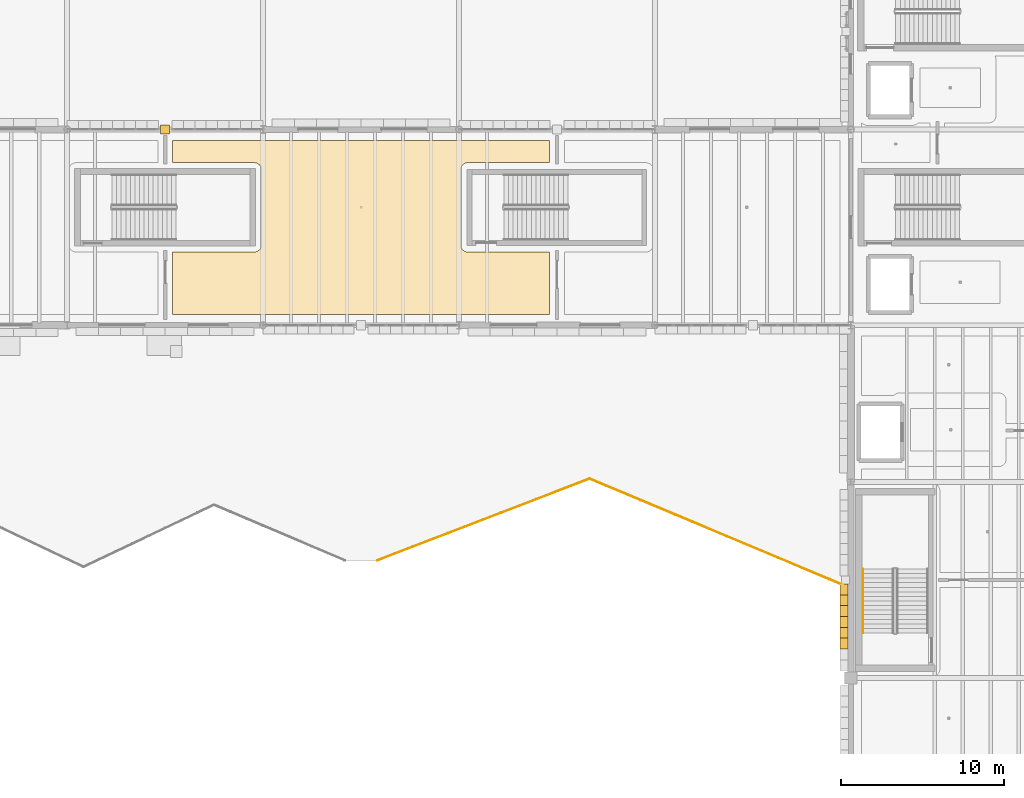
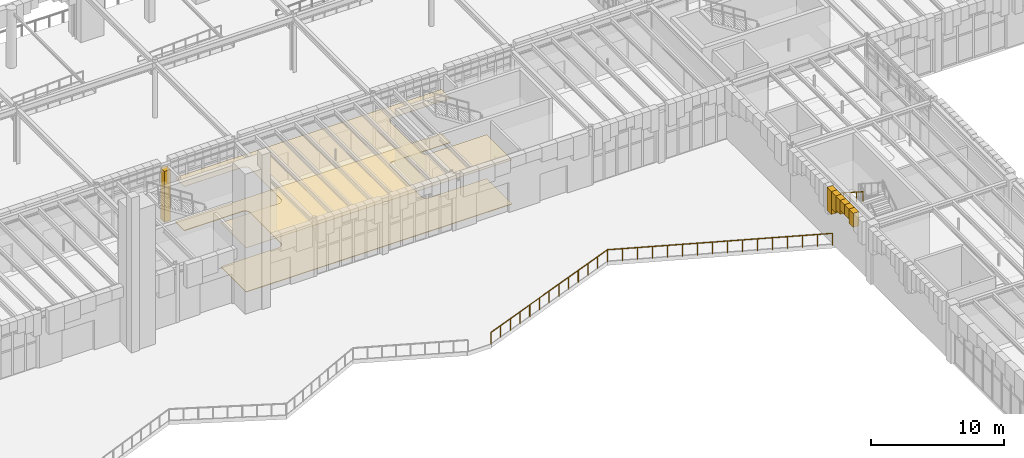
# One storey, part 85 of 103: 9 coverings, 3 railings.
"""IFC4 building model written with IfcOpenShell, lengths in metres."""

from ifc_helpers import new_model, si_unit, direction, frame, origin, origin_2d, place, context, subcontext, project, spatial, polyline, circle, outline, extrude, material, layer, layer_set, type_object, element, save


model = new_model("IFC4")

# Units and contexts
model_context = context("Model", 3, precision=1e-05, world=origin(), true_north=direction((0.0, 1.0)))
body_context = subcontext(model_context, "Body", "Model", "MODEL_VIEW")
ifc_project = project(units=[si_unit("LENGTHUNIT", "METRE"), si_unit("AREAUNIT", "SQUARE_METRE"), si_unit("VOLUMEUNIT", "CUBIC_METRE"), si_unit("PLANEANGLEUNIT", "RADIAN"), si_unit("MASSUNIT", "GRAM", prefix="KILO")], contexts=[model_context])

# Site, building, storey
site_placement = place(None, origin())
site = spatial("IfcSite", under=ifc_project, at=site_placement, CompositionType="ELEMENT")
building_placement = place(site_placement, origin())
building = spatial("IfcBuilding", under=site, at=building_placement, Name="Zlatogorsky Bluff Art Gallery", CompositionType="ELEMENT")
storey_placement = place(building_placement, origin())
storey = spatial("IfcBuildingStorey", under=building, at=storey_placement, Name="L00", CompositionType="ELEMENT", Elevation=0.0)

# Coverings
ifc_material_1 = material(Name="Perforated Gypsum Acoustic Board", Category="gypsum")
ifc_layer_1 = layer(ifc_material_1, 0.0400390625)
ifc_layer_set_1 = layer_set([ifc_layer_1], Name="Acoustic Gallery Ceiling CLG-01")
covering_type_1 = type_object("IfcCoveringType", Name="Acoustic Gallery Ceiling CLG-01", PredefinedType="CEILING", material=ifc_layer_set_1)
covering_1_placement = place(storey_placement, frame((0.0, 0.0, 4.050048828125)))
element("IfcCovering", 1, at=covering_1_placement, inside=storey, type_object=covering_type_1, Name="Winter-Garden Concourse acoustic ceiling", PredefinedType="CEILING", context=body_context, shape_type="SweptSolid", body=[
    extrude(outline(polyline([(78.449951171875, 88.489990234375), (83.450927734375, 88.489990234375), (83.495361328125, 88.4921875), (83.539306640625, 88.498779296875), (83.540283203125, 88.498779296875), (83.549560546875, 88.5009765625), (83.550537109375, 88.501220703125), (83.59375, 88.512939453125), (83.6357421875, 88.529296875), (83.637451171875, 88.530029296875), (83.673095703125, 88.5478515625), (83.674072265625, 88.54833984375), (83.706298828125, 88.568115234375), (83.73681640625, 88.59033203125), (83.73828125, 88.591552734375), (83.775390625, 88.624755859375), (83.80859375, 88.661865234375), (83.809814453125, 88.663330078125), (83.83203125, 88.693603515625), (83.851806640625, 88.725830078125), (83.852294921875, 88.726806640625), (83.8701171875, 88.762451171875), (83.870849609375, 88.764404296875), (83.886962890625, 88.80615234375), (83.89892578125, 88.849609375), (83.899169921875, 88.850341796875), (83.901123046875, 88.859619140625), (83.9013671875, 88.860595703125), (83.90771484375, 88.90478515625), (83.909912109375, 88.948974609375), (83.909912109375, 93.5009765625), (83.90771484375, 93.54541015625), (83.9013671875, 93.58935546875), (83.901123046875, 93.59033203125), (83.899169921875, 93.599609375), (83.89892578125, 93.6005859375), (83.886962890625, 93.643798828125), (83.870849609375, 93.685791015625), (83.8701171875, 93.6875), (83.852294921875, 93.72314453125), (83.851806640625, 93.72412109375), (83.83203125, 93.75634765625), (83.809814453125, 93.78662109375), (83.80859375, 93.7880859375), (83.775390625, 93.8251953125), (83.73828125, 93.8583984375), (83.73681640625, 93.859619140625), (83.706298828125, 93.882080078125), (83.674072265625, 93.901611328125), (83.673095703125, 93.902099609375), (83.637451171875, 93.919921875), (83.63671875, 93.92041015625), (83.6357421875, 93.9208984375), (83.59375, 93.93701171875), (83.550537109375, 93.948974609375), (83.549560546875, 93.94921875), (83.540283203125, 93.951171875), (83.539306640625, 93.951416015625), (83.495361328125, 93.957763671875), (83.450927734375, 93.9599609375), (78.449951171875, 93.9599609375), (78.449951171875, 95.330078125), (101.550048828125, 95.330078125), (101.550048828125, 93.9599609375), (96.549072265625, 93.9599609375), (96.504638671875, 93.957763671875), (96.460693359375, 93.951416015625), (96.459716796875, 93.951171875), (96.450439453125, 93.94921875), (96.449462890625, 93.948974609375), (96.40625, 93.93701171875), (96.3642578125, 93.9208984375), (96.36328125, 93.92041015625), (96.362548828125, 93.919921875), (96.326904296875, 93.902099609375), (96.325927734375, 93.901611328125), (96.293701171875, 93.882080078125), (96.26318359375, 93.859619140625), (96.26171875, 93.8583984375), (96.224609375, 93.8251953125), (96.19140625, 93.7880859375), (96.190185546875, 93.78662109375), (96.16796875, 93.75634765625), (96.148193359375, 93.72412109375), (96.147705078125, 93.72314453125), (96.1298828125, 93.6875), (96.129150390625, 93.685791015625), (96.113037109375, 93.643798828125), (96.10107421875, 93.6005859375), (96.100830078125, 93.599609375), (96.098876953125, 93.59033203125), (96.0986328125, 93.58935546875), (96.09228515625, 93.54541015625), (96.090087890625, 93.5009765625), (96.090087890625, 88.948974609375), (96.09228515625, 88.90478515625), (96.0986328125, 88.860595703125), (96.098876953125, 88.859619140625), (96.100830078125, 88.850341796875), (96.10107421875, 88.849609375), (96.113037109375, 88.80615234375), (96.129150390625, 88.764404296875), (96.1298828125, 88.762451171875), (96.147705078125, 88.726806640625), (96.148193359375, 88.725830078125), (96.16796875, 88.693603515625), (96.190185546875, 88.663330078125), (96.19140625, 88.661865234375), (96.224609375, 88.624755859375), (96.26171875, 88.591552734375), (96.26318359375, 88.59033203125), (96.293701171875, 88.568115234375), (96.325927734375, 88.54833984375), (96.326904296875, 88.5478515625), (96.362548828125, 88.530029296875), (96.3642578125, 88.529296875), (96.40625, 88.512939453125), (96.449462890625, 88.501220703125), (96.450439453125, 88.5009765625), (96.459716796875, 88.498779296875), (96.460693359375, 88.498779296875), (96.504638671875, 88.4921875), (96.549072265625, 88.489990234375), (101.550048828125, 88.489990234375), (101.550048828125, 84.669921875), (78.449951171875, 84.669921875), (78.449951171875, 88.489990234375)])), origin(), (0.0, 0.0, 1.0), 0.0400390625),
])
ifc_material_2 = material(Name="Honed Red Agra-Tone Quartzitic Sandstone", Category="masonry")
ifc_layer_2 = layer(ifc_material_2, 0.1201171875)
ifc_layer_set_2 = layer_set([ifc_layer_2], Name="Carved Sandstone Cladding CLD-02")
covering_type_2 = type_object("IfcCoveringType", Name="Carved Sandstone Cladding CLD-02", PredefinedType="CLADDING", material=ifc_layer_set_2)
covering_2_placement = place(storey_placement, frame((0.0, 0.0, -0.030029296875)))
element("IfcCovering", 2, at=covering_2_placement, inside=storey, type_object=covering_type_2, Name="Mughal dalan central sandstone pier L00 N 6.8", PredefinedType="CLADDING", context=body_context, shape_type="SweptSolid", body=[
    extrude(outline(polyline([(77.719970703125, 95.719970703125), (78.280029296875, 95.719970703125), (78.280029296875, 96.280029296875), (77.719970703125, 96.280029296875), (77.719970703125, 95.719970703125)])), origin(), (0.0, 0.0, 1.0), 4.68994140625),
])
covering_3_placement = place(storey_placement, frame((0.0, 0.0, 4.07666015625)))
element("IfcCovering", 3, at=covering_3_placement, inside=storey, type_object=covering_type_2, Name="Pointed Mughal arch voussoir spandrel WARCH-L00-W-10-06-A.3", PredefinedType="CLADDING", context=body_context, shape_type="SweptSolid", body=[
    extrude(outline(polyline([(119.340087890625, 64.175048828125), (119.340087890625, 64.83740234375), (119.830078125, 64.83740234375), (119.830078125, 64.175048828125), (119.340087890625, 64.175048828125)])), origin(), (0.0, 0.0, 1.0), 1.283447265625),
])
covering_4_placement = place(storey_placement, frame((0.0, 0.0, 4.4453125)))
element("IfcCovering", 4, at=covering_4_placement, inside=storey, type_object=covering_type_2, Name="Pointed Mughal arch voussoir spandrel WARCH-L00-W-10-06-A.4", PredefinedType="CLADDING", context=body_context, shape_type="SweptSolid", body=[
    extrude(outline(polyline([(119.340087890625, 64.83740234375), (119.340087890625, 65.5), (119.830078125, 65.5), (119.830078125, 64.83740234375), (119.340087890625, 64.83740234375)])), origin(), (0.0, 0.0, 1.0), 0.914794921875),
])
covering_5_placement = place(storey_placement, frame((0.0, 0.0, 4.4453125)))
element("IfcCovering", 5, at=covering_5_placement, inside=storey, type_object=covering_type_2, Name="Pointed Mughal arch voussoir spandrel WARCH-L00-W-10-06-A.5", PredefinedType="CLADDING", context=body_context, shape_type="SweptSolid", body=[
    extrude(outline(polyline([(119.340087890625, 65.5), (119.340087890625, 66.16259765625), (119.830078125, 66.16259765625), (119.830078125, 65.5), (119.340087890625, 65.5)])), origin(), (0.0, 0.0, 1.0), 0.914794921875),
])
covering_6_placement = place(storey_placement, frame((0.0, 0.0, 4.07666015625)))
element("IfcCovering", 6, at=covering_6_placement, inside=storey, type_object=covering_type_2, Name="Pointed Mughal arch voussoir spandrel WARCH-L00-W-10-06-A.6", PredefinedType="CLADDING", context=body_context, shape_type="SweptSolid", body=[
    extrude(outline(polyline([(119.340087890625, 66.16259765625), (119.340087890625, 66.824951171875), (119.830078125, 66.824951171875), (119.830078125, 66.16259765625), (119.340087890625, 66.16259765625)])), origin(), (0.0, 0.0, 1.0), 1.283447265625),
])
covering_7_placement = place(storey_placement, frame((0.0, 0.0, 3.78369140625)))
element("IfcCovering", 7, at=covering_7_placement, inside=storey, type_object=covering_type_2, Name="Pointed Mughal arch voussoir spandrel WARCH-L00-W-10-06-A.7", PredefinedType="CLADDING", context=body_context, shape_type="SweptSolid", body=[
    extrude(outline(polyline([(119.340087890625, 66.824951171875), (119.340087890625, 67.487548828125), (119.830078125, 67.487548828125), (119.830078125, 66.824951171875), (119.340087890625, 66.824951171875)])), origin(), (0.0, 0.0, 1.0), 1.576416015625),
])
covering_8_placement = place(storey_placement, frame((0.0, 0.0, 3.25244140625)))
element("IfcCovering", 8, at=covering_8_placement, inside=storey, type_object=covering_type_2, Name="Pointed Mughal arch voussoir spandrel WARCH-L00-W-10-06-A.8", PredefinedType="CLADDING", context=body_context, shape_type="SweptSolid", body=[
    extrude(outline(polyline([(119.340087890625, 67.487548828125), (119.340087890625, 68.14990234375), (119.830078125, 68.14990234375), (119.830078125, 67.487548828125), (119.340087890625, 67.487548828125)])), origin(), (0.0, 0.0, 1.0), 2.107666015625),
])

# Railings
ifc_material_3 = material(Name="Architectural Bronze and Laminated Glass", Category="glass")
railing_type_1 = type_object("IfcRailingType", Name="Gallery Guard Rail 1100mm", PredefinedType="GUARDRAIL", material=ifc_material_3)
railing_1_placement = place(storey_placement, frame((91.0, 69.60009765625, 0.0)))
element("IfcRailing", 9, at=railing_1_placement, inside=storey, type_object=railing_type_1, Name="Upper bluff terrace perimeter balustrade RIM-09", PredefinedType="GUARDRAIL", context=body_context, shape_type="SweptSolid", body=[
    extrude(circle(Radius=0.02392578125, at=origin_2d()), frame((0.0, 0.0, 1.076171875), z_axis=(0.933345606203, 0.358979079309, 0.0), x_axis=(-0.358979079309, 0.933345606203, 0.0)), (0.0, 0.0, 1.0), 13.928466796875),
    extrude(circle(Radius=0.02099609375, at=origin_2d()), origin(), (0.0, 0.0, 1.0), 1.052001953125),
    extrude(circle(Radius=0.02099609375, at=origin_2d()), frame((1.083251953125, 0.416748046875, 0.0)), (0.0, 0.0, 1.0), 1.052001953125),
    extrude(circle(Radius=0.02099609375, at=origin_2d()), frame((2.166748046875, 0.833251953125, 0.0)), (0.0, 0.0, 1.0), 1.052001953125),
    extrude(circle(Radius=0.02099609375, at=origin_2d()), frame((3.25, 1.25, 0.0)), (0.0, 0.0, 1.0), 1.052001953125),
    extrude(circle(Radius=0.02099609375, at=origin_2d()), frame((4.333251953125, 1.666748046875, 0.0)), (0.0, 0.0, 1.0), 1.052001953125),
    extrude(circle(Radius=0.02099609375, at=origin_2d()), frame((5.416748046875, 2.083251953125, 0.0)), (0.0, 0.0, 1.0), 1.052001953125),
    extrude(circle(Radius=0.02099609375, at=origin_2d()), frame((6.5, 2.5, 0.0)), (0.0, 0.0, 1.0), 1.052001953125),
    extrude(circle(Radius=0.02099609375, at=origin_2d()), frame((7.583251953125, 2.916748046875, 0.0)), (0.0, 0.0, 1.0), 1.052001953125),
    extrude(circle(Radius=0.02099609375, at=origin_2d()), frame((8.666748046875, 3.333251953125, 0.0)), (0.0, 0.0, 1.0), 1.052001953125),
    extrude(circle(Radius=0.02099609375, at=origin_2d()), frame((9.75, 3.75, 0.0)), (0.0, 0.0, 1.0), 1.052001953125),
    extrude(circle(Radius=0.02099609375, at=origin_2d()), frame((10.833251953125, 4.166748046875, 0.0)), (0.0, 0.0, 1.0), 1.052001953125),
    extrude(circle(Radius=0.02099609375, at=origin_2d()), frame((11.916748046875, 4.583251953125, 0.0)), (0.0, 0.0, 1.0), 1.052001953125),
    extrude(circle(Radius=0.02099609375, at=origin_2d()), frame((13.0, 5.0, 0.0)), (0.0, 0.0, 1.0), 1.052001953125),
])
railing_2_placement = place(storey_placement, frame((104.0, 74.60009765625, 0.0)))
element("IfcRailing", 10, at=railing_2_placement, inside=storey, type_object=railing_type_1, Name="Upper bluff terrace perimeter balustrade RIM-10", PredefinedType="GUARDRAIL", context=body_context, shape_type="SweptSolid", body=[
    extrude(circle(Radius=0.02392578125, at=origin_2d()), frame((0.0, 0.0, 1.076171875), z_axis=(0.922205736177, -0.386699599383, 0.0), x_axis=(0.386699599383, 0.922205736177, 0.0)), (0.0, 0.0, 1.0), 17.06787109375),
    extrude(circle(Radius=0.02099609375, at=origin_2d()), origin(), (0.0, 0.0, 1.0), 1.052001953125),
    extrude(circle(Radius=0.02099609375, at=origin_2d()), frame((1.04931640625, -0.43994140625, 0.0)), (0.0, 0.0, 1.0), 1.052001953125),
    extrude(circle(Radius=0.02099609375, at=origin_2d()), frame((2.0986328125, -0.880126953125, 0.0)), (0.0, 0.0, 1.0), 1.052001953125),
    extrude(circle(Radius=0.02099609375, at=origin_2d()), frame((3.14794921875, -1.320068359375, 0.0)), (0.0, 0.0, 1.0), 1.052001953125),
    extrude(circle(Radius=0.02099609375, at=origin_2d()), frame((4.197265625, -1.760009765625, 0.0)), (0.0, 0.0, 1.0), 1.052001953125),
    extrude(circle(Radius=0.02099609375, at=origin_2d()), frame((5.24658203125, -2.199951171875, 0.0)), (0.0, 0.0, 1.0), 1.052001953125),
    extrude(circle(Radius=0.02099609375, at=origin_2d()), frame((6.2958984375, -2.64013671875, 0.0)), (0.0, 0.0, 1.0), 1.052001953125),
    extrude(circle(Radius=0.02099609375, at=origin_2d()), frame((7.34521484375, -3.080078125, 0.0)), (0.0, 0.0, 1.0), 1.052001953125),
    extrude(circle(Radius=0.02099609375, at=origin_2d()), frame((8.394775390625, -3.52001953125, 0.0)), (0.0, 0.0, 1.0), 1.052001953125),
    extrude(circle(Radius=0.02099609375, at=origin_2d()), frame((9.444091796875, -3.9599609375, 0.0)), (0.0, 0.0, 1.0), 1.052001953125),
    extrude(circle(Radius=0.02099609375, at=origin_2d()), frame((10.493408203125, -4.400146484375, 0.0)), (0.0, 0.0, 1.0), 1.052001953125),
    extrude(circle(Radius=0.02099609375, at=origin_2d()), frame((11.542724609375, -4.840087890625, 0.0)), (0.0, 0.0, 1.0), 1.052001953125),
    extrude(circle(Radius=0.02099609375, at=origin_2d()), frame((12.592041015625, -5.280029296875, 0.0)), (0.0, 0.0, 1.0), 1.052001953125),
    extrude(circle(Radius=0.02099609375, at=origin_2d()), frame((13.641357421875, -5.719970703125, 0.0)), (0.0, 0.0, 1.0), 1.052001953125),
    extrude(circle(Radius=0.02099609375, at=origin_2d()), frame((14.690673828125, -6.16015625, 0.0)), (0.0, 0.0, 1.0), 1.052001953125),
    extrude(circle(Radius=0.02099609375, at=origin_2d()), frame((15.739990234375, -6.60009765625, 0.0)), (0.0, 0.0, 1.0), 1.052001953125),
])
ifc_material_4 = material(Name="Brushed Stainless Steel", Category="steel")
railing_type_2 = type_object("IfcRailingType", Name="Stair Pitch Handrail 900mm", PredefinedType="HANDRAIL", material=ifc_material_4)
railing_3_placement = place(storey_placement, frame((120.75, 69.070068359375, 2.8798828125)))
element("IfcRailing", 11, at=railing_3_placement, inside=storey, type_object=railing_type_2, Name="L00 ST-06 stair handrail 2", PredefinedType="HANDRAIL", context=body_context, shape_type="SweptSolid", body=[
    extrude(circle(Radius=0.02392578125, at=origin_2d()), frame((0.0, 0.0, 0.8759765625), z_axis=(0.0, -0.841186985886, 0.540744352514), x_axis=(1.0, 0.0, 0.0)), (0.0, 0.0, 1.0), 4.660400390625),
    extrude(circle(Radius=0.02099609375, at=origin_2d()), origin(), (0.0, 0.0, 1.0), 0.851806640625),
    extrude(circle(Radius=0.02099609375, at=origin_2d()), frame((0.0, -0.97998046875, 0.6298828125)), (0.0, 0.0, 1.0), 0.851806640625),
    extrude(circle(Radius=0.02099609375, at=origin_2d()), frame((0.0, -1.9599609375, 1.260009765625)), (0.0, 0.0, 1.0), 0.851806640625),
    extrude(circle(Radius=0.02099609375, at=origin_2d()), frame((0.0, -2.940185546875, 1.89013671875)), (0.0, 0.0, 1.0), 0.851806640625),
    extrude(circle(Radius=0.02099609375, at=origin_2d()), frame((0.0, -3.920166015625, 2.52001953125)), (0.0, 0.0, 1.0), 0.851806640625),
])

# Covering
ifc_material_5 = material(Name="Polished Ural Marble Terrazzo", Category="masonry")
ifc_layer_3 = layer(ifc_material_5, 0.050048828125)
ifc_layer_set_3 = layer_set([ifc_layer_3], Name="Terrazzo Gallery Flooring FLR-01")
covering_type_3 = type_object("IfcCoveringType", Name="Terrazzo Gallery Flooring FLR-01", PredefinedType="FLOORING", material=ifc_layer_set_3)
covering_9_placement = place(storey_placement, origin())
element("IfcCovering", 12, at=covering_9_placement, inside=storey, type_object=covering_type_3, Name="Winter-Garden Concourse terrazzo floor finish", PredefinedType="FLOORING", context=body_context, shape_type="SweptSolid", body=[
    extrude(outline(polyline([(78.449951171875, 88.489990234375), (83.450927734375, 88.489990234375), (83.495361328125, 88.4921875), (83.539306640625, 88.498779296875), (83.540283203125, 88.498779296875), (83.549560546875, 88.5009765625), (83.550537109375, 88.501220703125), (83.59375, 88.512939453125), (83.6357421875, 88.529296875), (83.637451171875, 88.530029296875), (83.673095703125, 88.5478515625), (83.674072265625, 88.54833984375), (83.706298828125, 88.568115234375), (83.73681640625, 88.59033203125), (83.73828125, 88.591552734375), (83.775390625, 88.624755859375), (83.80859375, 88.661865234375), (83.809814453125, 88.663330078125), (83.83203125, 88.693603515625), (83.851806640625, 88.725830078125), (83.852294921875, 88.726806640625), (83.8701171875, 88.762451171875), (83.870849609375, 88.764404296875), (83.886962890625, 88.80615234375), (83.89892578125, 88.849609375), (83.899169921875, 88.850341796875), (83.901123046875, 88.859619140625), (83.9013671875, 88.860595703125), (83.90771484375, 88.90478515625), (83.909912109375, 88.948974609375), (83.909912109375, 93.5009765625), (83.90771484375, 93.54541015625), (83.9013671875, 93.58935546875), (83.901123046875, 93.59033203125), (83.899169921875, 93.599609375), (83.89892578125, 93.6005859375), (83.886962890625, 93.643798828125), (83.870849609375, 93.685791015625), (83.8701171875, 93.6875), (83.852294921875, 93.72314453125), (83.851806640625, 93.72412109375), (83.83203125, 93.75634765625), (83.809814453125, 93.78662109375), (83.80859375, 93.7880859375), (83.775390625, 93.8251953125), (83.73828125, 93.8583984375), (83.73681640625, 93.859619140625), (83.706298828125, 93.882080078125), (83.674072265625, 93.901611328125), (83.673095703125, 93.902099609375), (83.637451171875, 93.919921875), (83.63671875, 93.92041015625), (83.6357421875, 93.9208984375), (83.59375, 93.93701171875), (83.550537109375, 93.948974609375), (83.549560546875, 93.94921875), (83.540283203125, 93.951171875), (83.539306640625, 93.951416015625), (83.495361328125, 93.957763671875), (83.450927734375, 93.9599609375), (78.449951171875, 93.9599609375), (78.449951171875, 95.330078125), (101.550048828125, 95.330078125), (101.550048828125, 93.9599609375), (96.549072265625, 93.9599609375), (96.504638671875, 93.957763671875), (96.460693359375, 93.951416015625), (96.459716796875, 93.951171875), (96.450439453125, 93.94921875), (96.449462890625, 93.948974609375), (96.40625, 93.93701171875), (96.3642578125, 93.9208984375), (96.36328125, 93.92041015625), (96.362548828125, 93.919921875), (96.326904296875, 93.902099609375), (96.325927734375, 93.901611328125), (96.293701171875, 93.882080078125), (96.26318359375, 93.859619140625), (96.26171875, 93.8583984375), (96.224609375, 93.8251953125), (96.19140625, 93.7880859375), (96.190185546875, 93.78662109375), (96.16796875, 93.75634765625), (96.148193359375, 93.72412109375), (96.147705078125, 93.72314453125), (96.1298828125, 93.6875), (96.129150390625, 93.685791015625), (96.113037109375, 93.643798828125), (96.10107421875, 93.6005859375), (96.100830078125, 93.599609375), (96.098876953125, 93.59033203125), (96.0986328125, 93.58935546875), (96.09228515625, 93.54541015625), (96.090087890625, 93.5009765625), (96.090087890625, 88.948974609375), (96.09228515625, 88.90478515625), (96.0986328125, 88.860595703125), (96.098876953125, 88.859619140625), (96.100830078125, 88.850341796875), (96.10107421875, 88.849609375), (96.113037109375, 88.80615234375), (96.129150390625, 88.764404296875), (96.1298828125, 88.762451171875), (96.147705078125, 88.726806640625), (96.148193359375, 88.725830078125), (96.16796875, 88.693603515625), (96.190185546875, 88.663330078125), (96.19140625, 88.661865234375), (96.224609375, 88.624755859375), (96.26171875, 88.591552734375), (96.26318359375, 88.59033203125), (96.293701171875, 88.568115234375), (96.325927734375, 88.54833984375), (96.326904296875, 88.5478515625), (96.362548828125, 88.530029296875), (96.3642578125, 88.529296875), (96.40625, 88.512939453125), (96.449462890625, 88.501220703125), (96.450439453125, 88.5009765625), (96.459716796875, 88.498779296875), (96.460693359375, 88.498779296875), (96.504638671875, 88.4921875), (96.549072265625, 88.489990234375), (101.550048828125, 88.489990234375), (101.550048828125, 84.669921875), (78.449951171875, 84.669921875), (78.449951171875, 88.489990234375)])), origin(), (0.0, 0.0, 1.0), 0.050048828125),
])

save(model, "model.ifc")
